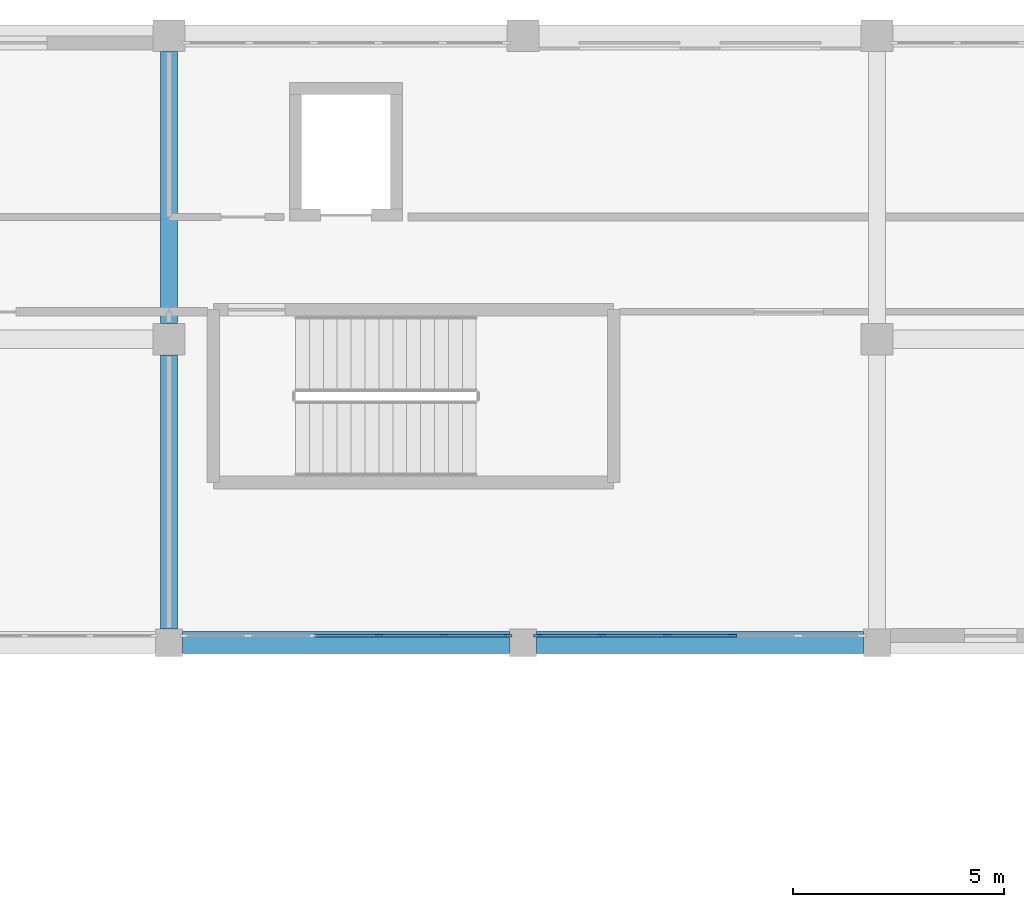
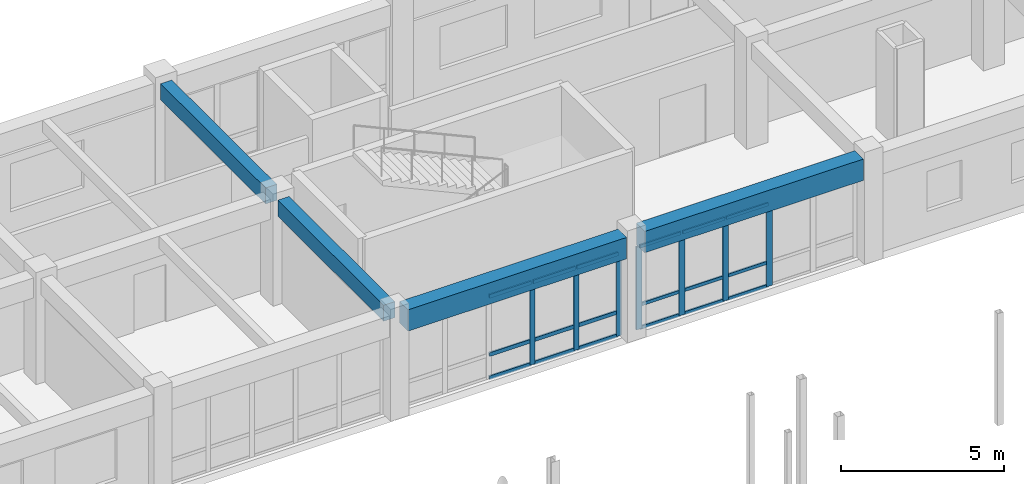
# One storey, part 63 of 147: 25 members, 4 beams, 2 elements without a shape of their own.
"""IFC4 building model written with IfcOpenShell, lengths in metres."""

from ifc_helpers import new_model, si_unit, direction, frame, origin, origin_2d, place, context, subcontext, project, spatial, rectangle, extrude, material, material_profile, profile_set, type_object, element, aggregate, save


model = new_model("IFC4")

# Units and contexts
model_context = context("Model", 3, precision=1e-05, world=origin(), true_north=direction((0.0, 1.0)))
body_context = subcontext(model_context, "Body", "Model", "MODEL_VIEW")
ifc_project = project(units=[si_unit("LENGTHUNIT", "METRE"), si_unit("AREAUNIT", "SQUARE_METRE"), si_unit("VOLUMEUNIT", "CUBIC_METRE"), si_unit("PLANEANGLEUNIT", "RADIAN"), si_unit("MASSUNIT", "GRAM", prefix="KILO")], contexts=[model_context])

# Site, building, storey
site_placement = place(None, origin())
site = spatial("IfcSite", under=ifc_project, at=site_placement, CompositionType="ELEMENT")
building_placement = place(site_placement, origin())
building = spatial("IfcBuilding", under=site, at=building_placement, Name="Malvenik Polytechnic", CompositionType="ELEMENT")
storey_placement = place(building_placement, frame((0.0, 0.0, 5.10009765625)))
storey = spatial("IfcBuildingStorey", under=building, at=storey_placement, Name="L01", CompositionType="ELEMENT", Elevation=5.10009765625)

# Curtain wall, members
ifc_material_1 = material(Name="Anodised aluminium 6060-T6", Category="aluminium")
curtain_wall_type = type_object("IfcCurtainWallType", Name="ARC-CW-CW-02", PredefinedType="NOTDEFINED", material=ifc_material_1)
curtain_wall_1_placement = place(storey_placement, origin())
curtain_wall_1 = element("IfcCurtainWall", 1, at=curtain_wall_1_placement, inside=storey, type_object=curtain_wall_type, Name="Unitised Curtain Wall CW-02 L01 #40", PredefinedType="NOTDEFINED")
ifc_material_2 = material(Name="Anodised aluminium", Category="aluminium")
ifc_material_profile_1 = material_profile(ifc_material_2, rectangle(XDim=0.06005859375, YDim=0.179931640625, at=origin_2d()), Name="ALU MULLION 60x180")
ifc_profile_set_1 = profile_set([ifc_material_profile_1], Name="Anodised aluminium")
member_type_1 = type_object("IfcMemberType", Name="ARC-CWM-180", PredefinedType="MULLION", material=ifc_profile_set_1)
member_1_placement = place(storey_placement, frame((58.447021484375, 115.3701171875, 0.0), z_axis=(0.0, 0.0, 1.0), x_axis=(0.0, -1.0, 0.0)))
member_1 = element("IfcMember", 2, at=member_1_placement, type_object=member_type_1, Name="CW-02 mullion 1", PredefinedType="MULLION", context=body_context, shape_type="SweptSolid", body=[
    extrude(rectangle(XDim=0.06005859375, YDim=0.179931640625, at=origin_2d()), origin(), (0.0, 0.0, 1.0), 3.10986328125),
])
member_2_placement = place(storey_placement, frame((56.92626953125, 115.3701171875, 0.0), z_axis=(0.0, 0.0, 1.0), x_axis=(0.0, -1.0, 0.0)))
member_2 = element("IfcMember", 3, at=member_2_placement, type_object=member_type_1, Name="CW-02 mullion 2", PredefinedType="MULLION", context=body_context, shape_type="SweptSolid", body=[
    extrude(rectangle(XDim=0.06005859375, YDim=0.179931640625, at=origin_2d()), origin(), (0.0, 0.0, 1.0), 3.10986328125),
])
member_3_placement = place(storey_placement, frame((55.37548828125, 115.3701171875, 0.0), z_axis=(0.0, 0.0, 1.0), x_axis=(0.0, -1.0, 0.0)))
member_3 = element("IfcMember", 4, at=member_3_placement, type_object=member_type_1, Name="CW-02 mullion 3", PredefinedType="MULLION", context=body_context, shape_type="SweptSolid", body=[
    extrude(rectangle(XDim=0.06005859375, YDim=0.179931640625, at=origin_2d()), origin(), (0.0, 0.0, 1.0), 3.10986328125),
])

curtain_wall_2_placement = place(storey_placement, origin())
curtain_wall_2 = element("IfcCurtainWall", 5, at=curtain_wall_2_placement, inside=storey, type_object=curtain_wall_type, Name="Unitised Curtain Wall CW-02 L01 #39", PredefinedType="NOTDEFINED")
ifc_material_profile_2 = material_profile(ifc_material_2, rectangle(XDim=0.06005859375, YDim=0.199951171875, at=origin_2d()), Name="ALU MULLION 60x200")
ifc_profile_set_2 = profile_set([ifc_material_profile_2], Name="Anodised aluminium")
member_type_2 = type_object("IfcMemberType", Name="ARC-CWM-200", PredefinedType="MULLION", material=ifc_profile_set_2)
member_4_placement = place(storey_placement, frame((63.775390625, 115.3701171875, 0.0), z_axis=(0.0, 0.0, 1.0), x_axis=(0.0, -1.0, 0.0)))
member_4 = element("IfcMember", 6, at=member_4_placement, type_object=member_type_2, Name="CW-02 mullion 3", PredefinedType="MULLION", context=body_context, shape_type="SweptSolid", body=[
    extrude(rectangle(XDim=0.06005859375, YDim=0.199951171875, at=origin_2d()), origin(), (0.0, 0.0, 1.0), 3.10986328125),
])
member_5_placement = place(storey_placement, frame((62.224609375, 115.3701171875, 0.0), z_axis=(0.0, 0.0, 1.0), x_axis=(0.0, -1.0, 0.0)))
member_5 = element("IfcMember", 7, at=member_5_placement, type_object=member_type_2, Name="CW-02 mullion 4", PredefinedType="MULLION", context=body_context, shape_type="SweptSolid", body=[
    extrude(rectangle(XDim=0.06005859375, YDim=0.199951171875, at=origin_2d()), origin(), (0.0, 0.0, 1.0), 3.10986328125),
])
member_6_placement = place(storey_placement, frame((60.673828125, 115.3701171875, 0.0), z_axis=(0.0, 0.0, 1.0), x_axis=(0.0, -1.0, 0.0)))
member_6 = element("IfcMember", 8, at=member_6_placement, type_object=member_type_2, Name="CW-02 mullion 5", PredefinedType="MULLION", context=body_context, shape_type="SweptSolid", body=[
    extrude(rectangle(XDim=0.06005859375, YDim=0.199951171875, at=origin_2d()), origin(), (0.0, 0.0, 1.0), 3.10986328125),
])
member_7_placement = place(storey_placement, frame((59.153076171875, 115.3701171875, 0.0), z_axis=(0.0, 0.0, 1.0), x_axis=(0.0, -1.0, 0.0)))
member_7 = element("IfcMember", 9, at=member_7_placement, type_object=member_type_2, Name="CW-02 mullion 6", PredefinedType="MULLION", context=body_context, shape_type="SweptSolid", body=[
    extrude(rectangle(XDim=0.06005859375, YDim=0.199951171875, at=origin_2d()), origin(), (0.0, 0.0, 1.0), 3.10986328125),
])
ifc_material_profile_3 = material_profile(ifc_material_2, rectangle(XDim=0.06005859375, YDim=0.1201171875, at=origin_2d()), Name="ALU TRANSOM 60x120")
ifc_profile_set_3 = profile_set([ifc_material_profile_3], Name="Anodised aluminium")
member_type_3 = type_object("IfcMemberType", Name="ARC-CWT-120", PredefinedType="USERDEFINED", material=ifc_profile_set_3)
member_8_placement = place(storey_placement, frame((63.745361328125, 115.3701171875, 0.02978515625), z_axis=(-1.0, 0.0, 0.0), x_axis=(0.0, -1.0, 0.0)))
member_8 = element("IfcMember", 10, at=member_8_placement, type_object=member_type_3, Name="CW-02 transom 3.1", ObjectType="TRANSOM", PredefinedType="USERDEFINED", context=body_context, shape_type="SweptSolid", body=[
    extrude(rectangle(XDim=0.06005859375, YDim=0.1201171875, at=origin_2d()), origin(), (0.0, 0.0, 1.0), 1.49072265625),
])
member_9_placement = place(storey_placement, frame((63.745361328125, 115.3701171875, 0.89990234375), z_axis=(-1.0, 0.0, 0.0), x_axis=(0.0, -1.0, 0.0)))
member_9 = element("IfcMember", 11, at=member_9_placement, type_object=member_type_3, Name="CW-02 transom 3.2", ObjectType="TRANSOM", PredefinedType="USERDEFINED", context=body_context, shape_type="SweptSolid", body=[
    extrude(rectangle(XDim=0.06005859375, YDim=0.1201171875, at=origin_2d()), origin(), (0.0, 0.0, 1.0), 1.49072265625),
])
member_10_placement = place(storey_placement, frame((63.745361328125, 115.3701171875, 3.079833984375), z_axis=(-1.0, 0.0, 0.0), x_axis=(0.0, -1.0, 0.0)))
member_10 = element("IfcMember", 12, at=member_10_placement, type_object=member_type_3, Name="CW-02 transom 3.3", ObjectType="TRANSOM", PredefinedType="USERDEFINED", context=body_context, shape_type="SweptSolid", body=[
    extrude(rectangle(XDim=0.06005859375, YDim=0.1201171875, at=origin_2d()), origin(), (0.0, 0.0, 1.0), 1.49072265625),
])
member_11_placement = place(storey_placement, frame((62.194580078125, 115.3701171875, 0.02978515625), z_axis=(-1.0, 0.0, 0.0), x_axis=(0.0, -1.0, 0.0)))
member_11 = element("IfcMember", 13, at=member_11_placement, type_object=member_type_3, Name="CW-02 transom 4.1", ObjectType="TRANSOM", PredefinedType="USERDEFINED", context=body_context, shape_type="SweptSolid", body=[
    extrude(rectangle(XDim=0.06005859375, YDim=0.1201171875, at=origin_2d()), origin(), (0.0, 0.0, 1.0), 1.49072265625),
])
member_12_placement = place(storey_placement, frame((62.194580078125, 115.3701171875, 0.89990234375), z_axis=(-1.0, 0.0, 0.0), x_axis=(0.0, -1.0, 0.0)))
member_12 = element("IfcMember", 14, at=member_12_placement, type_object=member_type_3, Name="CW-02 transom 4.2", ObjectType="TRANSOM", PredefinedType="USERDEFINED", context=body_context, shape_type="SweptSolid", body=[
    extrude(rectangle(XDim=0.06005859375, YDim=0.1201171875, at=origin_2d()), origin(), (0.0, 0.0, 1.0), 1.49072265625),
])
member_13_placement = place(storey_placement, frame((62.194580078125, 115.3701171875, 3.079833984375), z_axis=(-1.0, 0.0, 0.0), x_axis=(0.0, -1.0, 0.0)))
member_13 = element("IfcMember", 15, at=member_13_placement, type_object=member_type_3, Name="CW-02 transom 4.3", ObjectType="TRANSOM", PredefinedType="USERDEFINED", context=body_context, shape_type="SweptSolid", body=[
    extrude(rectangle(XDim=0.06005859375, YDim=0.1201171875, at=origin_2d()), origin(), (0.0, 0.0, 1.0), 1.49072265625),
])
member_14_placement = place(storey_placement, frame((60.643798828125, 115.3701171875, 0.02978515625), z_axis=(-1.0, 0.0, 0.0), x_axis=(0.0, -1.0, 0.0)))
member_14 = element("IfcMember", 16, at=member_14_placement, type_object=member_type_3, Name="CW-02 transom 5.1", ObjectType="TRANSOM", PredefinedType="USERDEFINED", context=body_context, shape_type="SweptSolid", body=[
    extrude(rectangle(XDim=0.06005859375, YDim=0.1201171875, at=origin_2d()), origin(), (0.0, 0.0, 1.0), 1.460693359375),
])
member_15_placement = place(storey_placement, frame((60.643798828125, 115.3701171875, 0.89990234375), z_axis=(-1.0, 0.0, 0.0), x_axis=(0.0, -1.0, 0.0)))
member_15 = element("IfcMember", 17, at=member_15_placement, type_object=member_type_3, Name="CW-02 transom 5.2", ObjectType="TRANSOM", PredefinedType="USERDEFINED", context=body_context, shape_type="SweptSolid", body=[
    extrude(rectangle(XDim=0.06005859375, YDim=0.1201171875, at=origin_2d()), origin(), (0.0, 0.0, 1.0), 1.460693359375),
])
member_16_placement = place(storey_placement, frame((60.643798828125, 115.3701171875, 3.079833984375), z_axis=(-1.0, 0.0, 0.0), x_axis=(0.0, -1.0, 0.0)))
member_16 = element("IfcMember", 18, at=member_16_placement, type_object=member_type_3, Name="CW-02 transom 5.3", ObjectType="TRANSOM", PredefinedType="USERDEFINED", context=body_context, shape_type="SweptSolid", body=[
    extrude(rectangle(XDim=0.06005859375, YDim=0.1201171875, at=origin_2d()), origin(), (0.0, 0.0, 1.0), 1.460693359375),
])
aggregate(curtain_wall_2, [member_4, member_5, member_6, member_7, member_8, member_9, member_10, member_11, member_12, member_13, member_14, member_15, member_16])

# Member
ifc_material_profile_4 = material_profile(ifc_material_2, rectangle(XDim=0.06005859375, YDim=0.139892578125, at=origin_2d()), Name="ALU TRANSOM 60x140")
ifc_profile_set_4 = profile_set([ifc_material_profile_4], Name="Anodised aluminium")
member_type_4 = type_object("IfcMemberType", Name="ARC-CWT-140", PredefinedType="USERDEFINED", material=ifc_profile_set_4)
member_17_placement = place(storey_placement, frame((58.4169921875, 115.3701171875, 0.02978515625), z_axis=(-1.0, 0.0, 0.0), x_axis=(0.0, -1.0, 0.0)))
member_17 = element("IfcMember", 19, at=member_17_placement, type_object=member_type_4, Name="CW-02 transom 1.1", ObjectType="TRANSOM", PredefinedType="USERDEFINED", context=body_context, shape_type="SweptSolid", body=[
    extrude(rectangle(XDim=0.06005859375, YDim=0.139892578125, at=origin_2d()), origin(), (0.0, 0.0, 1.0), 1.460693359375),
])

member_18_placement = place(storey_placement, frame((58.4169921875, 115.3701171875, 0.89990234375), z_axis=(-1.0, 0.0, 0.0), x_axis=(0.0, -1.0, 0.0)))
member_18 = element("IfcMember", 20, at=member_18_placement, type_object=member_type_4, Name="CW-02 transom 1.2", ObjectType="TRANSOM", PredefinedType="USERDEFINED", context=body_context, shape_type="SweptSolid", body=[
    extrude(rectangle(XDim=0.06005859375, YDim=0.139892578125, at=origin_2d()), origin(), (0.0, 0.0, 1.0), 1.460693359375),
])

member_19_placement = place(storey_placement, frame((58.4169921875, 115.3701171875, 3.079833984375), z_axis=(-1.0, 0.0, 0.0), x_axis=(0.0, -1.0, 0.0)))
member_19 = element("IfcMember", 21, at=member_19_placement, type_object=member_type_4, Name="CW-02 transom 1.3", ObjectType="TRANSOM", PredefinedType="USERDEFINED", context=body_context, shape_type="SweptSolid", body=[
    extrude(rectangle(XDim=0.06005859375, YDim=0.139892578125, at=origin_2d()), origin(), (0.0, 0.0, 1.0), 1.460693359375),
])

member_20_placement = place(storey_placement, frame((56.896240234375, 115.3701171875, 0.02978515625), z_axis=(-1.0, 0.0, 0.0), x_axis=(0.0, -1.0, 0.0)))
member_20 = element("IfcMember", 22, at=member_20_placement, type_object=member_type_4, Name="CW-02 transom 2.1", ObjectType="TRANSOM", PredefinedType="USERDEFINED", context=body_context, shape_type="SweptSolid", body=[
    extrude(rectangle(XDim=0.06005859375, YDim=0.139892578125, at=origin_2d()), origin(), (0.0, 0.0, 1.0), 1.49072265625),
])

member_21_placement = place(storey_placement, frame((56.896240234375, 115.3701171875, 0.89990234375), z_axis=(-1.0, 0.0, 0.0), x_axis=(0.0, -1.0, 0.0)))
member_21 = element("IfcMember", 23, at=member_21_placement, type_object=member_type_4, Name="CW-02 transom 2.2", ObjectType="TRANSOM", PredefinedType="USERDEFINED", context=body_context, shape_type="SweptSolid", body=[
    extrude(rectangle(XDim=0.06005859375, YDim=0.139892578125, at=origin_2d()), origin(), (0.0, 0.0, 1.0), 1.49072265625),
])

member_22_placement = place(storey_placement, frame((56.896240234375, 115.3701171875, 3.079833984375), z_axis=(-1.0, 0.0, 0.0), x_axis=(0.0, -1.0, 0.0)))
member_22 = element("IfcMember", 24, at=member_22_placement, type_object=member_type_4, Name="CW-02 transom 2.3", ObjectType="TRANSOM", PredefinedType="USERDEFINED", context=body_context, shape_type="SweptSolid", body=[
    extrude(rectangle(XDim=0.06005859375, YDim=0.139892578125, at=origin_2d()), origin(), (0.0, 0.0, 1.0), 1.49072265625),
])

member_23_placement = place(storey_placement, frame((55.345458984375, 115.3701171875, 0.02978515625), z_axis=(-1.0, 0.0, 0.0), x_axis=(0.0, -1.0, 0.0)))
member_23 = element("IfcMember", 25, at=member_23_placement, type_object=member_type_4, Name="CW-02 transom 3.1", ObjectType="TRANSOM", PredefinedType="USERDEFINED", context=body_context, shape_type="SweptSolid", body=[
    extrude(rectangle(XDim=0.06005859375, YDim=0.139892578125, at=origin_2d()), origin(), (0.0, 0.0, 1.0), 1.490966796875),
])

member_24_placement = place(storey_placement, frame((55.345458984375, 115.3701171875, 0.89990234375), z_axis=(-1.0, 0.0, 0.0), x_axis=(0.0, -1.0, 0.0)))
member_24 = element("IfcMember", 26, at=member_24_placement, type_object=member_type_4, Name="CW-02 transom 3.2", ObjectType="TRANSOM", PredefinedType="USERDEFINED", context=body_context, shape_type="SweptSolid", body=[
    extrude(rectangle(XDim=0.06005859375, YDim=0.139892578125, at=origin_2d()), origin(), (0.0, 0.0, 1.0), 1.490966796875),
])

member_25_placement = place(storey_placement, frame((55.345458984375, 115.3701171875, 3.079833984375), z_axis=(-1.0, 0.0, 0.0), x_axis=(0.0, -1.0, 0.0)))
member_25 = element("IfcMember", 27, at=member_25_placement, type_object=member_type_4, Name="CW-02 transom 3.3", ObjectType="TRANSOM", PredefinedType="USERDEFINED", context=body_context, shape_type="SweptSolid", body=[
    extrude(rectangle(XDim=0.06005859375, YDim=0.139892578125, at=origin_2d()), origin(), (0.0, 0.0, 1.0), 1.490966796875),
])

aggregate(curtain_wall_1, [member_1, member_2, member_3, member_17, member_18, member_19, member_20, member_21, member_22, member_23, member_24, member_25])

# Beams
ifc_material_3 = material(Name="Concrete C35/45", Category="concrete")
ifc_material_profile_5 = material_profile(ifc_material_3, rectangle(XDim=0.39990234375, YDim=0.60009765625, at=origin_2d()), Name="RC BM 400x600")
ifc_profile_set_5 = profile_set([ifc_material_profile_5], Name="Concrete C35/45")
beam_type_1 = type_object("IfcBeamType", Name="STR-BM-B-06", PredefinedType="BEAM", material=ifc_profile_set_5)
beam_1_placement = place(storey_placement, frame((50.39990234375, 115.52294921875, 3.619873046875), z_axis=(0.0, 1.0, 0.0), x_axis=(-1.0, 0.0, 0.0)))
element("IfcBeam", 28, at=beam_1_placement, inside=storey, type_object=beam_type_1, Name="Transverse Beam B-06 L01 #1165", PredefinedType="BEAM", context=body_context, shape_type="SweptSolid", body=[
    extrude(rectangle(XDim=0.39990234375, YDim=0.60009765625, at=origin_2d()), origin(), (0.0, 0.0, 1.0), 6.504150390625),
])
beam_2_placement = place(storey_placement, frame((50.39990234375, 122.77294921875, 3.619873046875), z_axis=(0.0, 1.0, 0.0), x_axis=(-1.0, 0.0, 0.0)))
element("IfcBeam", 29, at=beam_2_placement, inside=storey, type_object=beam_type_1, Name="Transverse Beam B-06 L01 #1166", PredefinedType="BEAM", context=body_context, shape_type="SweptSolid", body=[
    extrude(rectangle(XDim=0.39990234375, YDim=0.60009765625, at=origin_2d()), origin(), (0.0, 0.0, 1.0), 6.4541015625),
])
ifc_material_4 = material(Name="Precast concrete C40/50", Category="concrete")
ifc_material_profile_6 = material_profile(ifc_material_4, rectangle(XDim=0.52001953125, YDim=0.800048828125, at=origin_2d()), Name="PC SPN 520x800")
ifc_profile_set_6 = profile_set([ifc_material_profile_6], Name="Precast concrete C40/50")
beam_type_2 = type_object("IfcBeamType", Name="STR-BM-SP-01", PredefinedType="SPANDREL", material=ifc_profile_set_6)
beam_3_placement = place(storey_placement, frame((50.722900390625, 115.199951171875, 3.52001953125), z_axis=(1.0, 0.0, 0.0), x_axis=(0.0, 1.0, 0.0)))
element("IfcBeam", 30, at=beam_3_placement, inside=storey, type_object=beam_type_2, Name="Primary Beam SP-01 L01 #1091", PredefinedType="SPANDREL", context=body_context, shape_type="SweptSolid", body=[
    extrude(rectangle(XDim=0.52001953125, YDim=0.800048828125, at=origin_2d()), origin(), (0.0, 0.0, 1.0), 7.754150390625),
])
beam_4_placement = place(storey_placement, frame((59.123046875, 115.199951171875, 3.52001953125), z_axis=(1.0, 0.0, 0.0), x_axis=(0.0, 1.0, 0.0)))
element("IfcBeam", 31, at=beam_4_placement, inside=storey, type_object=beam_type_2, Name="Primary Beam SP-01 L01 #1092", PredefinedType="SPANDREL", context=body_context, shape_type="SweptSolid", body=[
    extrude(rectangle(XDim=0.52001953125, YDim=0.800048828125, at=origin_2d()), origin(), (0.0, 0.0, 1.0), 7.75390625),
])

save(model, "model.ifc")
